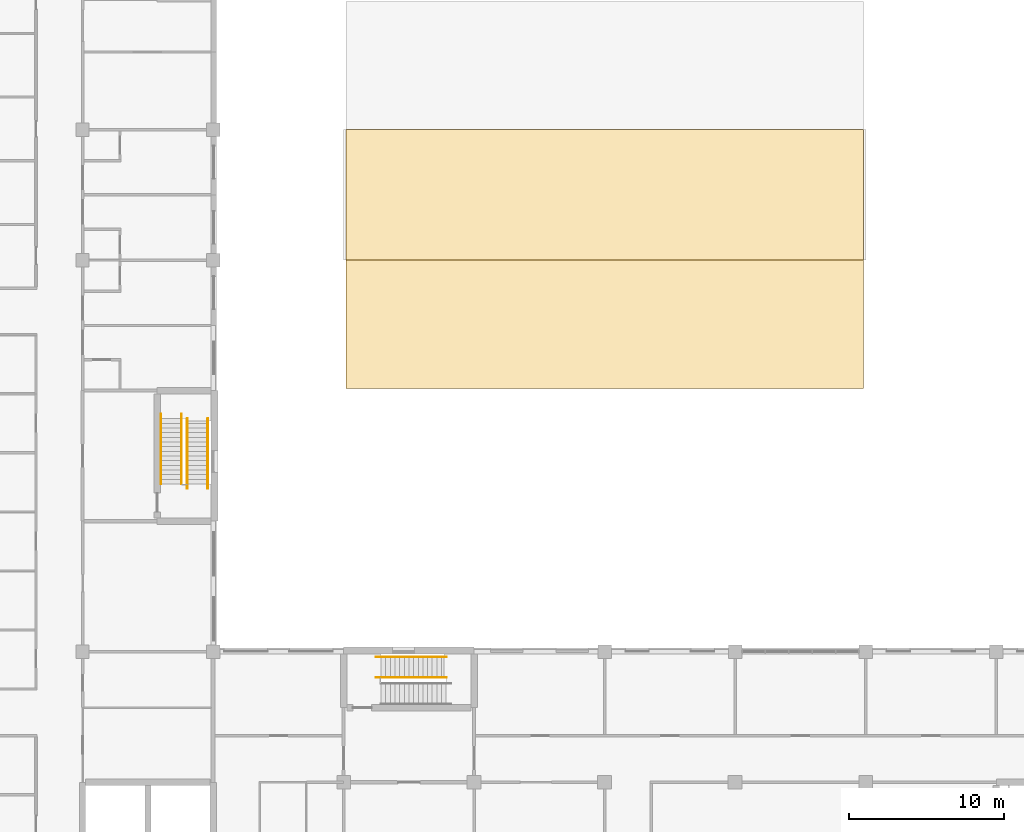
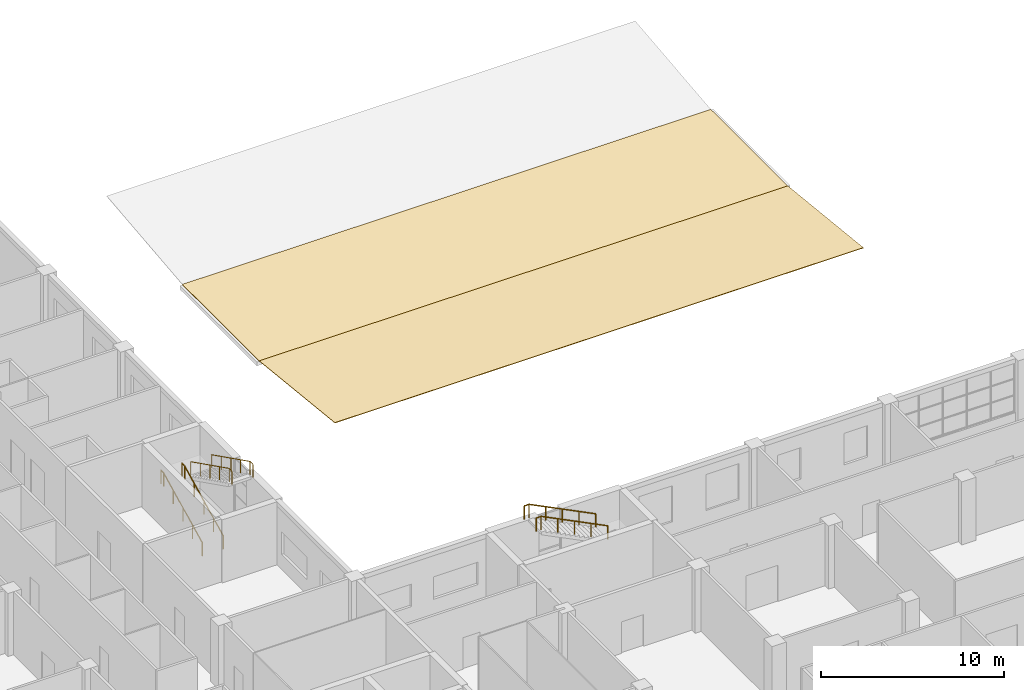
# One storey, part 59 of 66: 6 railings, 2 coverings.
"""IFC4 building model written with IfcOpenShell, lengths in metres."""

from ifc_helpers import new_model, si_unit, direction, frame, origin, origin_2d, place, context, subcontext, project, spatial, polyline, circle, outline, extrude, material, layer, layer_set, type_object, element, save


model = new_model("IFC4")

# Units and contexts
model_context = context("Model", 3, precision=1e-05, world=origin(), true_north=direction((0.0, 1.0)))
body_context = subcontext(model_context, "Body", "Model", "MODEL_VIEW")
ifc_project = project(units=[si_unit("LENGTHUNIT", "METRE"), si_unit("AREAUNIT", "SQUARE_METRE"), si_unit("VOLUMEUNIT", "CUBIC_METRE"), si_unit("PLANEANGLEUNIT", "RADIAN"), si_unit("MASSUNIT", "GRAM", prefix="KILO")], contexts=[model_context])

# Site, building, storey
site_placement = place(None, origin())
site = spatial("IfcSite", under=ifc_project, at=site_placement, CompositionType="ELEMENT")
building_placement = place(site_placement, origin())
building = spatial("IfcBuilding", under=site, at=building_placement, Name="Yavir Park General Hospital", CompositionType="ELEMENT")
storey_placement = place(building_placement, frame((0.0, 0.0, 8.39990234375)))
storey = spatial("IfcBuildingStorey", under=building, at=storey_placement, Name="L02", CompositionType="ELEMENT", Elevation=8.39990234375)

# Coverings
ifc_material_1 = material(Name="Bituminous roof membrane")
ifc_layer = layer(ifc_material_1, 0.034912109375)
ifc_layer_set = layer_set([ifc_layer], Name="Bituminous roof membrane")
covering_type = type_object("IfcCoveringType", Name="Roof membrane and insulation 35", PredefinedType="ROOFING", material=ifc_layer_set)
covering_1_placement = place(storey_placement, frame((33.75, 50.550048828125, 1.119140625), z_axis=(0.0, 0.106516500476, 0.994310934832), x_axis=(1.0, 0.0, 0.0)))
element("IfcCovering", 1, at=covering_1_placement, inside=storey, type_object=covering_type, Name="Roofing CLIN-S1", PredefinedType="ROOFING", context=body_context, shape_type="SweptSolid", body=[
    extrude(outline(polyline([(0.0, 0.0), (33.300048828125, 0.0), (33.300048828125, 8.297203330459887), (0.0, 8.297203330459887), (0.0, 0.0)])), origin(), (0.0, 0.0, -1.0), 0.034912109375),
])
covering_2_placement = place(storey_placement, frame((33.75, 58.800048828125, 0.235107421875), z_axis=(0.0, 0.0, 1.0), x_axis=(1.0, 0.0, 0.0)))
element("IfcCovering", 2, at=covering_2_placement, inside=storey, type_object=covering_type, Name="Roofing CLIN-G1", PredefinedType="ROOFING", context=body_context, shape_type="SweptSolid", body=[
    extrude(outline(polyline([(0.0, 0.0), (33.300048828125, 0.0), (33.300048828125, 8.39990234375), (0.0, 8.39990234375), (0.0, 0.0)])), origin(), (0.0, 0.0, -1.0), 0.034912109375),
])

# Railings
ifc_material_2 = material(Name="Stainless steel tube 48 mm", Category="steel")
railing_type = type_object("IfcRailingType", Name="Stair handrail, steel tube, 900 mm above the nosings", PredefinedType="HANDRAIL", material=ifc_material_2)
for number, where, name in (
    (3, (40.199951171875, 33.260009765625, 2.400146484375), "Handrail PN1 L02 3"),
    (4, (40.199951171875, 31.93994140625, 2.400146484375), "Handrail PN1 L02 4"),
):
    element("IfcRailing", number, at=place(storey_placement, frame(where)), inside=storey, type_object=railing_type, Name=name, PredefinedType="HANDRAIL", context=body_context, shape_type="SweptSolid", body=[
        extrude(circle(Radius=0.02392578125, at=origin_2d()), frame((0.0, 0.0, 0.8759765625), z_axis=(-0.894437589381, 0.0, 0.447192798132), x_axis=(0.0, -1.0, 0.0)), (0.0, 0.0, 1.0), 4.695556640625),
        extrude(circle(Radius=0.02392578125, at=origin_2d()), frame((-4.199951171875, 0.0, 2.9755859375), z_axis=(-1.0, 0.0, 0.0), x_axis=(0.0, -1.0, 0.0)), (0.0, 0.0, 1.0), 0.300048828125),
        extrude(circle(Radius=0.02099609375, at=origin_2d()), origin(), (0.0, 0.0, 1.0), 0.851806640625),
        extrude(circle(Radius=0.02099609375, at=origin_2d()), frame((-1.050048828125, 0.0, 0.52490234375)), (0.0, 0.0, 1.0), 0.851806640625),
        extrude(circle(Radius=0.02099609375, at=origin_2d()), frame((-2.10009765625, 0.0, 1.0498046875)), (0.0, 0.0, 1.0), 0.851806640625),
        extrude(circle(Radius=0.02099609375, at=origin_2d()), frame((-3.14990234375, 0.0, 1.574951171875)), (0.0, 0.0, 1.0), 0.851806640625),
        extrude(circle(Radius=0.02099609375, at=origin_2d()), frame((-4.199951171875, 0.0, 2.099853515625)), (0.0, 0.0, 1.0), 0.851806640625),
        extrude(circle(Radius=0.02099609375, at=origin_2d()), frame((-4.5, 0.0, 2.099853515625)), (0.0, 0.0, 1.0), 0.851806640625),
    ])
for number, where, name in (
    (5, (21.840087890625, 44.39990234375, 0.150146484375), "Handrail SW1 L02 1"),
    (6, (23.159912109375, 44.39990234375, 0.150146484375), "Handrail SW1 L02 2"),
):
    element("IfcRailing", number, at=place(storey_placement, frame(where)), inside=storey, type_object=railing_type, Name=name, PredefinedType="HANDRAIL", context=body_context, shape_type="SweptSolid", body=[
        extrude(circle(Radius=0.02392578125, at=origin_2d()), frame((0.0, 0.0, 0.8759765625), z_axis=(0.0, 0.894447986312, 0.447172002457), x_axis=(-1.0, 0.0, 0.0)), (0.0, 0.0, 1.0), 4.69580078125),
        extrude(circle(Radius=0.02392578125, at=origin_2d()), frame((0.0, 4.2001953125, 2.9755859375), z_axis=(0.0, 1.0, 0.0), x_axis=(-1.0, 0.0, 0.0)), (0.0, 0.0, 1.0), 0.2998046875),
        extrude(circle(Radius=0.02099609375, at=origin_2d()), origin(), (0.0, 0.0, 1.0), 0.851806640625),
        extrude(circle(Radius=0.02099609375, at=origin_2d()), frame((0.0, 1.050048828125, 0.52490234375)), (0.0, 0.0, 1.0), 0.851806640625),
        extrude(circle(Radius=0.02099609375, at=origin_2d()), frame((0.0, 2.10009765625, 1.0498046875)), (0.0, 0.0, 1.0), 0.851806640625),
        extrude(circle(Radius=0.02099609375, at=origin_2d()), frame((0.0, 3.150146484375, 1.574951171875)), (0.0, 0.0, 1.0), 0.851806640625),
        extrude(circle(Radius=0.02099609375, at=origin_2d()), frame((0.0, 4.2001953125, 2.099853515625)), (0.0, 0.0, 1.0), 0.851806640625),
        extrude(circle(Radius=0.02099609375, at=origin_2d()), frame((0.0, 4.5, 2.099853515625)), (0.0, 0.0, 1.0), 0.851806640625),
    ])
for number, where, name in (
    (7, (24.860107421875, 48.60009765625, 2.400146484375), "Handrail SW1 L02 3"),
    (8, (23.5400390625, 48.60009765625, 2.400146484375), "Handrail SW1 L02 4"),
):
    element("IfcRailing", number, at=place(storey_placement, frame(where)), inside=storey, type_object=railing_type, Name=name, PredefinedType="HANDRAIL", context=body_context, shape_type="SweptSolid", body=[
        extrude(circle(Radius=0.02392578125, at=origin_2d()), frame((0.0, 0.0, 0.8759765625), z_axis=(0.0, -0.894447986312, 0.447172002457), x_axis=(1.0, 0.0, 0.0)), (0.0, 0.0, 1.0), 4.69580078125),
        extrude(circle(Radius=0.02392578125, at=origin_2d()), frame((0.0, -4.2001953125, 2.9755859375), z_axis=(0.0, -1.0, 0.0), x_axis=(1.0, 0.0, 0.0)), (0.0, 0.0, 1.0), 0.2998046875),
        extrude(circle(Radius=0.02099609375, at=origin_2d()), origin(), (0.0, 0.0, 1.0), 0.851806640625),
        extrude(circle(Radius=0.02099609375, at=origin_2d()), frame((0.0, -1.050048828125, 0.52490234375)), (0.0, 0.0, 1.0), 0.851806640625),
        extrude(circle(Radius=0.02099609375, at=origin_2d()), frame((0.0, -2.10009765625, 1.0498046875)), (0.0, 0.0, 1.0), 0.851806640625),
        extrude(circle(Radius=0.02099609375, at=origin_2d()), frame((0.0, -3.150146484375, 1.574951171875)), (0.0, 0.0, 1.0), 0.851806640625),
        extrude(circle(Radius=0.02099609375, at=origin_2d()), frame((0.0, -4.2001953125, 2.099853515625)), (0.0, 0.0, 1.0), 0.851806640625),
        extrude(circle(Radius=0.02099609375, at=origin_2d()), frame((0.0, -4.5, 2.099853515625)), (0.0, 0.0, 1.0), 0.851806640625),
    ])

save(model, "model.ifc")
